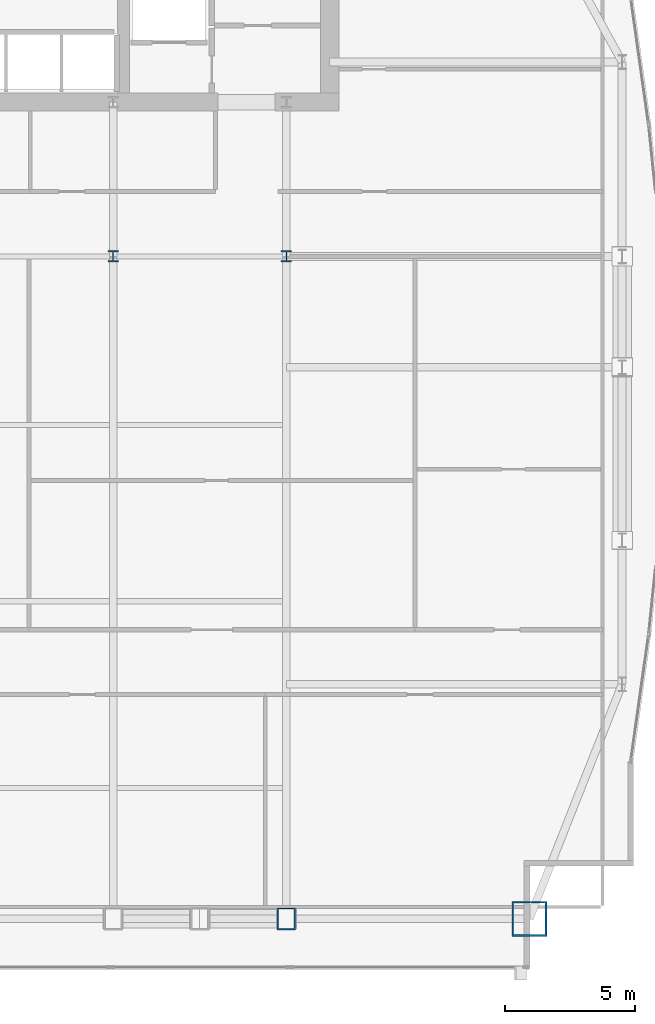
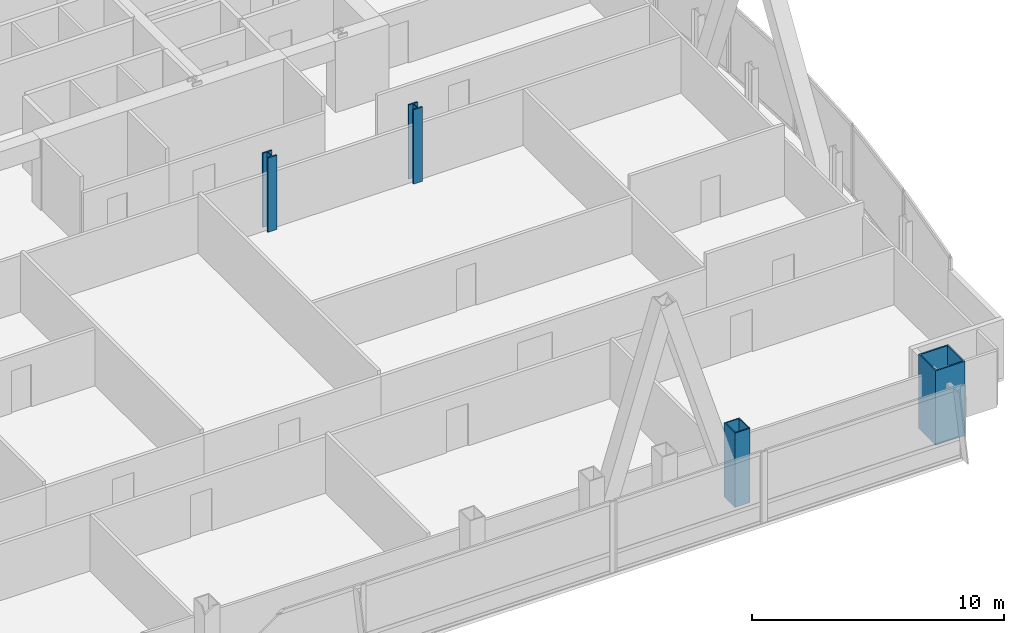
# One storey, part 2 of 30: 4 columns.
"""IFC4 building model written with IfcOpenShell, lengths in metres."""

from ifc_helpers import new_model, si_unit, direction, frame, origin, origin_2d, place, context, subcontext, project, spatial, hollow_rectangle, i_section, extrude, material, material_profile, profile_set, type_object, element, save


model = new_model("IFC4")

# Units and contexts
model_context = context("Model", 3, precision=1e-05, world=origin(), true_north=direction((0.0, 1.0)))
body_context = subcontext(model_context, "Body", "Model", "MODEL_VIEW")
ifc_project = project(units=[si_unit("LENGTHUNIT", "METRE"), si_unit("AREAUNIT", "SQUARE_METRE"), si_unit("VOLUMEUNIT", "CUBIC_METRE"), si_unit("PLANEANGLEUNIT", "RADIAN"), si_unit("MASSUNIT", "GRAM", prefix="KILO")], contexts=[model_context])

# Site, building, storey
site_placement = place(None, origin())
site = spatial("IfcSite", under=ifc_project, at=site_placement, CompositionType="ELEMENT")
building_placement = place(site_placement, origin())
building = spatial("IfcBuilding", under=site, at=building_placement, Name="Khoronbel Lancet Exchange", CompositionType="ELEMENT")
storey_placement = place(building_placement, frame((0.0, 0.0, 147.0)))
storey = spatial("IfcBuildingStorey", under=building, at=storey_placement, Name="L36", CompositionType="ELEMENT", Elevation=147.0)

# Columns
ifc_material = material(Name="Steel S460", Category="steel")
ifc_material_profile_1 = material_profile(ifc_material, hollow_rectangle(XDim=0.699951171875, YDim=0.85009765625, WallThickness=0.050048828125, at=origin_2d()), Name="BOX 850x700x50")
ifc_profile_set_1 = profile_set([ifc_material_profile_1], Name="Steel S460")
column_type_1 = type_object("IfcColumnType", Name="COL-EC2", PredefinedType="COLUMN", material=ifc_profile_set_1)
column_1_placement = place(storey_placement, frame((54.675048828125, 10.14990234375, 0.0), z_axis=(0.0, 0.0, 1.0), x_axis=(1.0, 0.0, 0.0)))
element("IfcColumn", 1, at=column_1_placement, inside=storey, type_object=column_type_1, Name="Structural column SC-E2 L36", PredefinedType="COLUMN", context=body_context, shape_type="SweptSolid", body=[
    extrude(hollow_rectangle(XDim=0.699951171875, YDim=0.85009765625, WallThickness=0.050048828125, at=origin_2d()), origin(), (0.0, 0.0, 1.0), 3.60009765625),
])
ifc_material_profile_2 = material_profile(ifc_material, i_section(OverallWidth=0.416015625, OverallDepth=0.446044921875, WebThickness=0.0390625, FlangeThickness=0.062744140625, at=origin_2d()), Name="HD 400x509")
ifc_profile_set_2 = profile_set([ifc_material_profile_2], Name="Steel S460")
column_type_2 = type_object("IfcColumnType", Name="COL-IC2", PredefinedType="COLUMN", material=ifc_profile_set_2)
for number, where, z_axis, x_axis, name in (
    (2, (48.0, 35.699951171875, 0.0), (0.0, 0.0, 1.0), (1.0, 0.0, 0.0), "Spine gravity column TC3 L36"),
    (3, (54.675048828125, 35.699951171875, 0.0), (0.0, 0.0, 1.0), (1.0, 0.0, 0.0), "Spine gravity column TC4 L36"),
):
    element("IfcColumn", number, at=place(storey_placement, frame(where, z_axis=z_axis, x_axis=x_axis)), inside=storey, type_object=column_type_2, Name=name, PredefinedType="COLUMN", context=body_context, shape_type="SweptSolid", body=[
        extrude(i_section(OverallWidth=0.416015625, OverallDepth=0.446044921875, WebThickness=0.0390625, FlangeThickness=0.062744140625, at=origin_2d()), origin(), (0.0, 0.0, 1.0), 3.60009765625),
    ])
ifc_material_profile_3 = material_profile(ifc_material, hollow_rectangle(XDim=1.35009765625, YDim=1.35009765625, WallThickness=0.06494140625, at=origin_2d()), Name="BOX 1350x1350x65")
ifc_profile_set_3 = profile_set([ifc_material_profile_3], Name="Steel S460")
column_type_3 = type_object("IfcColumnType", Name="COL-MC4", PredefinedType="COLUMN", material=ifc_profile_set_3)
column_2_placement = place(storey_placement, frame((64.050048828125, 10.14990234375, 0.0), z_axis=(0.0, 0.0, 1.0), x_axis=(1.0, 0.0, 0.0)))
element("IfcColumn", 4, at=column_2_placement, inside=storey, type_object=column_type_3, Name="Structural column MC-SE L36", PredefinedType="COLUMN", context=body_context, shape_type="SweptSolid", body=[
    extrude(hollow_rectangle(XDim=1.35009765625, YDim=1.35009765625, WallThickness=0.06494140625, at=origin_2d()), origin(), (0.0, 0.0, 1.0), 3.60009765625),
])

save(model, "model.ifc")
